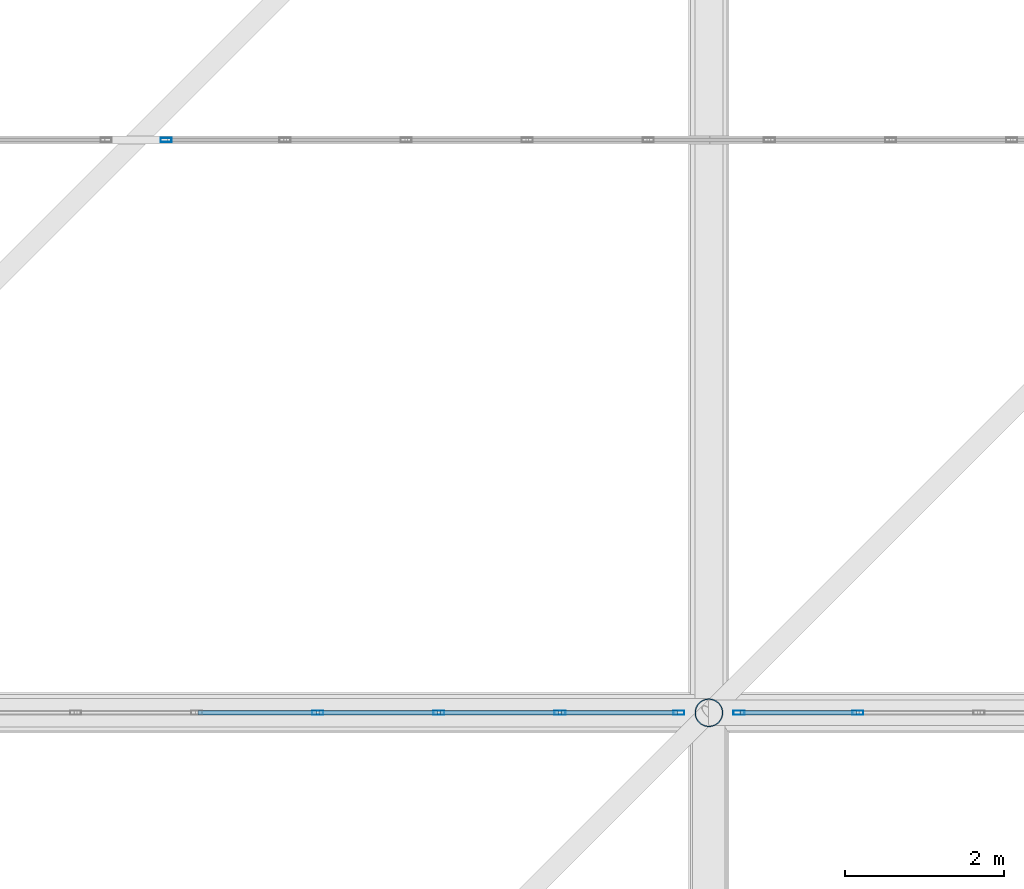
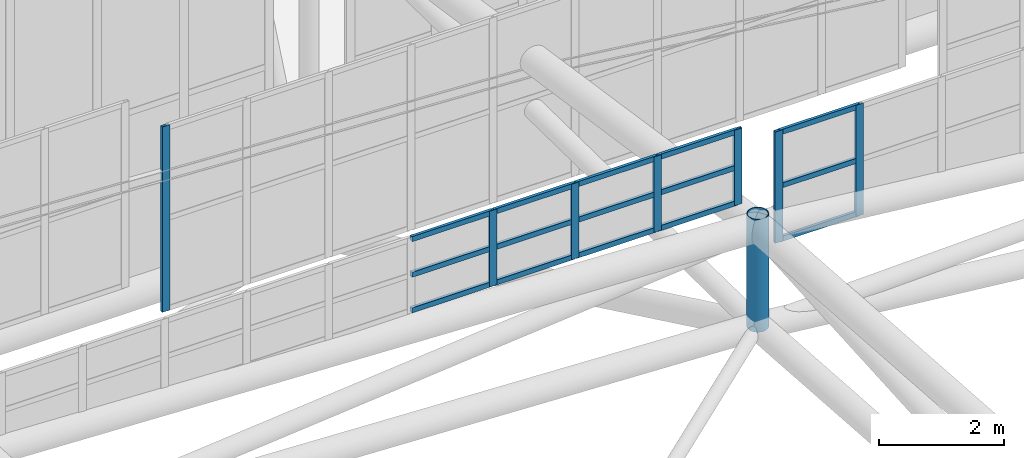
# One storey, part 310 of 397: 23 members, 3 elements without a shape of their own.
"""IFC4 building model written with IfcOpenShell, lengths in metres."""

from ifc_helpers import new_model, si_unit, direction, frame, origin, origin_2d, place, context, subcontext, project, spatial, hollow_rectangle, hollow_circle, extrude, material, material_profile, profile_set, type_object, element, aggregate, save


model = new_model("IFC4")

# Units and contexts
model_context = context("Model", 3, precision=1e-05, world=origin(), true_north=direction((0.0, 1.0)))
body_context = subcontext(model_context, "Body", "Model", "MODEL_VIEW")
ifc_project = project(units=[si_unit("LENGTHUNIT", "METRE"), si_unit("AREAUNIT", "SQUARE_METRE"), si_unit("VOLUMEUNIT", "CUBIC_METRE"), si_unit("PLANEANGLEUNIT", "RADIAN"), si_unit("MASSUNIT", "GRAM", prefix="KILO")], contexts=[model_context])

# Site, building, storey
site_placement = place(None, origin())
site = spatial("IfcSite", under=ifc_project, at=site_placement, CompositionType="ELEMENT")
building_placement = place(site_placement, origin())
building = spatial("IfcBuilding", under=site, at=building_placement, Name="Qandorah Velis Arena", CompositionType="ELEMENT")
storey_placement = place(building_placement, frame((0.0, 0.0, 27.5)))
storey = spatial("IfcBuildingStorey", under=building, at=storey_placement, Name="RF", CompositionType="ELEMENT", Elevation=27.5)

# Curtain wall, member
ifc_material_1 = material(Name="Solar-control low-E double glazing", Category="glass")
curtain_wall_type_1 = type_object("IfcCurtainWallType", Name="ARC-CW-SYS05", PredefinedType="USERDEFINED", material=ifc_material_1)
curtain_wall_1_placement = place(storey_placement, origin())
curtain_wall_1 = element("IfcCurtainWall", 1, at=curtain_wall_1_placement, inside=storey, type_object=curtain_wall_type_1, Name="Unitised curtain wall MON-4-5", ObjectType="UNITISED CURTAIN WALL", PredefinedType="USERDEFINED")
ifc_material_2 = material(Name="Champagne-bronze anodized aluminium 6063-T6", Category="aluminium")
ifc_material_profile_1 = material_profile(ifc_material_2, hollow_rectangle(XDim=0.054931640625, YDim=0.139892578125, WallThickness=0.0029296875, at=origin_2d()), Name="ALU MULLION 55x140")
ifc_profile_set_1 = profile_set([ifc_material_profile_1], Name="Champagne-bronze anodized aluminium 6063-T6")
member_type_1 = type_object("IfcMemberType", Name="ARC-CWM-140", PredefinedType="MULLION", material=ifc_profile_set_1)
member_1_placement = place(storey_placement, frame((79.577392578125, 108.0, 5.337646484375), z_axis=(0.0, 0.0, 1.0), x_axis=(0.0, 1.0, 0.0)))
member_1 = element("IfcMember", 2, at=member_1_placement, type_object=member_type_1, Name="CW05 mullion 1", PredefinedType="MULLION", context=body_context, shape_type="SweptSolid", body=[
    extrude(hollow_rectangle(XDim=0.054931640625, YDim=0.139892578125, WallThickness=0.0029296875, at=origin_2d()), origin(), (0.0, 0.0, 1.0), 3.630126953125),
])
aggregate(curtain_wall_1, [member_1])

# Curtain wall, members
curtain_wall_type_2 = type_object("IfcCurtainWallType", Name="ARC-CW-SYS24", PredefinedType="USERDEFINED", material=ifc_material_1)
curtain_wall_2_placement = place(storey_placement, origin())
curtain_wall_2 = element("IfcCurtainWall", 3, at=curtain_wall_2_placement, inside=storey, type_object=curtain_wall_type_2, Name="Unitised curtain wall OCULUS-4-4", ObjectType="UNITISED CURTAIN WALL", PredefinedType="USERDEFINED")
member_2_placement = place(storey_placement, frame((81.4833984375, 100.800048828125, 9.5341796875), z_axis=(0.0, 0.0, 1.0), x_axis=(0.0, 1.0, 0.0)))
member_2 = element("IfcMember", 4, at=member_2_placement, type_object=member_type_1, Name="CW24 mullion 7", PredefinedType="MULLION", context=body_context, shape_type="SweptSolid", body=[
    extrude(hollow_rectangle(XDim=0.054931640625, YDim=0.139892578125, WallThickness=0.0029296875, at=origin_2d()), origin(), (0.0, 0.0, 1.0), 1.480712890625),
])
member_3_placement = place(storey_placement, frame((83.005615234375, 100.800048828125, 9.5341796875), z_axis=(0.0, 0.0, 1.0), x_axis=(0.0, 1.0, 0.0)))
member_3 = element("IfcMember", 5, at=member_3_placement, type_object=member_type_1, Name="CW24 mullion 8", PredefinedType="MULLION", context=body_context, shape_type="SweptSolid", body=[
    extrude(hollow_rectangle(XDim=0.054931640625, YDim=0.139892578125, WallThickness=0.0029296875, at=origin_2d()), origin(), (0.0, 0.0, 1.0), 1.480712890625),
])
member_4_placement = place(storey_placement, frame((84.52783203125, 100.800048828125, 9.5341796875), z_axis=(0.0, 0.0, 1.0), x_axis=(0.0, 1.0, 0.0)))
member_4 = element("IfcMember", 6, at=member_4_placement, type_object=member_type_1, Name="CW24 mullion 9", PredefinedType="MULLION", context=body_context, shape_type="SweptSolid", body=[
    extrude(hollow_rectangle(XDim=0.054931640625, YDim=0.139892578125, WallThickness=0.0029296875, at=origin_2d()), origin(), (0.0, 0.0, 1.0), 1.480712890625),
])
member_5_placement = place(storey_placement, frame((86.0224609375, 100.800048828125, 9.5341796875), z_axis=(0.0, 0.0, 1.0), x_axis=(0.0, 1.0, 0.0)))
member_5 = element("IfcMember", 7, at=member_5_placement, type_object=member_type_1, Name="CW24 mullion 10", PredefinedType="MULLION", context=body_context, shape_type="SweptSolid", body=[
    extrude(hollow_rectangle(XDim=0.054931640625, YDim=0.139892578125, WallThickness=0.0029296875, at=origin_2d()), origin(), (0.0, 0.0, 1.0), 1.480712890625),
])

curtain_wall_type_3 = type_object("IfcCurtainWallType", Name="ARC-CW-SYS01", PredefinedType="USERDEFINED", material=ifc_material_1)
curtain_wall_3_placement = place(storey_placement, origin())
curtain_wall_3 = element("IfcCurtainWall", 8, at=curtain_wall_3_placement, inside=storey, type_object=curtain_wall_type_3, Name="Unitised curtain wall OCULUS-4-5", ObjectType="UNITISED CURTAIN WALL", PredefinedType="USERDEFINED")
member_6_placement = place(storey_placement, frame((86.777587890625, 100.800048828125, 8.53515625), z_axis=(0.0, 0.0, 1.0), x_axis=(0.0, 1.0, 0.0)))
member_6 = element("IfcMember", 9, at=member_6_placement, type_object=member_type_1, Name="CW01 mullion 1", PredefinedType="MULLION", context=body_context, shape_type="SweptSolid", body=[
    extrude(hollow_rectangle(XDim=0.054931640625, YDim=0.139892578125, WallThickness=0.0029296875, at=origin_2d()), origin(), (0.0, 0.0, 1.0), 2.179931640625),
])
member_7_placement = place(storey_placement, frame((88.272216796875, 100.800048828125, 8.53515625), z_axis=(0.0, 0.0, 1.0), x_axis=(0.0, 1.0, 0.0)))
member_7 = element("IfcMember", 10, at=member_7_placement, type_object=member_type_1, Name="CW01 mullion 2", PredefinedType="MULLION", context=body_context, shape_type="SweptSolid", body=[
    extrude(hollow_rectangle(XDim=0.054931640625, YDim=0.139892578125, WallThickness=0.0029296875, at=origin_2d()), origin(), (0.0, 0.0, 1.0), 2.179931640625),
])

# Member
ifc_material_profile_2 = material_profile(ifc_material_2, hollow_rectangle(XDim=0.054931640625, YDim=0.10009765625, WallThickness=0.0029296875, at=origin_2d()), Name="ALU TRANSOM 55x100")
ifc_profile_set_2 = profile_set([ifc_material_profile_2], Name="Champagne-bronze anodized aluminium 6063-T6")
member_type_2 = type_object("IfcMemberType", Name="ARC-CWT-100", PredefinedType="USERDEFINED", material=ifc_profile_set_2)
member_8_placement = place(storey_placement, frame((79.9765625, 100.800048828125, 9.57666015625), z_axis=(1.0, 0.0, 0.0), x_axis=(0.0, 1.0, 0.0)))
member_8 = element("IfcMember", 11, at=member_8_placement, type_object=member_type_2, Name="CW24 transom 6.1", ObjectType="TRANSOM", PredefinedType="USERDEFINED", context=body_context, shape_type="SweptSolid", body=[
    extrude(hollow_rectangle(XDim=0.054931640625, YDim=0.10009765625, WallThickness=0.0029296875, at=origin_2d()), origin(), (0.0, 0.0, 1.0), 1.4912109375),
])

member_9_placement = place(storey_placement, frame((79.9765625, 100.800048828125, 10.274658203125), z_axis=(1.0, 0.0, 0.0), x_axis=(0.0, 1.0, 0.0)))
member_9 = element("IfcMember", 12, at=member_9_placement, type_object=member_type_2, Name="CW24 transom 6.2", ObjectType="TRANSOM", PredefinedType="USERDEFINED", context=body_context, shape_type="SweptSolid", body=[
    extrude(hollow_rectangle(XDim=0.054931640625, YDim=0.10009765625, WallThickness=0.0029296875, at=origin_2d()), origin(), (0.0, 0.0, 1.0), 1.4912109375),
])

member_10_placement = place(storey_placement, frame((79.9765625, 100.800048828125, 10.972412109375), z_axis=(1.0, 0.0, 0.0), x_axis=(0.0, 1.0, 0.0)))
member_10 = element("IfcMember", 13, at=member_10_placement, type_object=member_type_2, Name="CW24 transom 6.3", ObjectType="TRANSOM", PredefinedType="USERDEFINED", context=body_context, shape_type="SweptSolid", body=[
    extrude(hollow_rectangle(XDim=0.054931640625, YDim=0.10009765625, WallThickness=0.0029296875, at=origin_2d()), origin(), (0.0, 0.0, 1.0), 1.4912109375),
])

member_11_placement = place(storey_placement, frame((81.498779296875, 100.800048828125, 9.57666015625), z_axis=(1.0, 0.0, 0.0), x_axis=(0.0, 1.0, 0.0)))
member_11 = element("IfcMember", 14, at=member_11_placement, type_object=member_type_2, Name="CW24 transom 7.1", ObjectType="TRANSOM", PredefinedType="USERDEFINED", context=body_context, shape_type="SweptSolid", body=[
    extrude(hollow_rectangle(XDim=0.054931640625, YDim=0.10009765625, WallThickness=0.0029296875, at=origin_2d()), origin(), (0.0, 0.0, 1.0), 1.4912109375),
])

member_12_placement = place(storey_placement, frame((81.498779296875, 100.800048828125, 10.274658203125), z_axis=(1.0, 0.0, 0.0), x_axis=(0.0, 1.0, 0.0)))
member_12 = element("IfcMember", 15, at=member_12_placement, type_object=member_type_2, Name="CW24 transom 7.2", ObjectType="TRANSOM", PredefinedType="USERDEFINED", context=body_context, shape_type="SweptSolid", body=[
    extrude(hollow_rectangle(XDim=0.054931640625, YDim=0.10009765625, WallThickness=0.0029296875, at=origin_2d()), origin(), (0.0, 0.0, 1.0), 1.4912109375),
])

member_13_placement = place(storey_placement, frame((81.498779296875, 100.800048828125, 10.972412109375), z_axis=(1.0, 0.0, 0.0), x_axis=(0.0, 1.0, 0.0)))
member_13 = element("IfcMember", 16, at=member_13_placement, type_object=member_type_2, Name="CW24 transom 7.3", ObjectType="TRANSOM", PredefinedType="USERDEFINED", context=body_context, shape_type="SweptSolid", body=[
    extrude(hollow_rectangle(XDim=0.054931640625, YDim=0.10009765625, WallThickness=0.0029296875, at=origin_2d()), origin(), (0.0, 0.0, 1.0), 1.4912109375),
])

member_14_placement = place(storey_placement, frame((83.02099609375, 100.800048828125, 9.57666015625), z_axis=(1.0, 0.0, 0.0), x_axis=(0.0, 1.0, 0.0)))
member_14 = element("IfcMember", 17, at=member_14_placement, type_object=member_type_2, Name="CW24 transom 8.1", ObjectType="TRANSOM", PredefinedType="USERDEFINED", context=body_context, shape_type="SweptSolid", body=[
    extrude(hollow_rectangle(XDim=0.054931640625, YDim=0.10009765625, WallThickness=0.0029296875, at=origin_2d()), origin(), (0.0, 0.0, 1.0), 1.4912109375),
])

member_15_placement = place(storey_placement, frame((83.02099609375, 100.800048828125, 10.274658203125), z_axis=(1.0, 0.0, 0.0), x_axis=(0.0, 1.0, 0.0)))
member_15 = element("IfcMember", 18, at=member_15_placement, type_object=member_type_2, Name="CW24 transom 8.2", ObjectType="TRANSOM", PredefinedType="USERDEFINED", context=body_context, shape_type="SweptSolid", body=[
    extrude(hollow_rectangle(XDim=0.054931640625, YDim=0.10009765625, WallThickness=0.0029296875, at=origin_2d()), origin(), (0.0, 0.0, 1.0), 1.4912109375),
])

member_16_placement = place(storey_placement, frame((83.02099609375, 100.800048828125, 10.972412109375), z_axis=(1.0, 0.0, 0.0), x_axis=(0.0, 1.0, 0.0)))
member_16 = element("IfcMember", 19, at=member_16_placement, type_object=member_type_2, Name="CW24 transom 8.3", ObjectType="TRANSOM", PredefinedType="USERDEFINED", context=body_context, shape_type="SweptSolid", body=[
    extrude(hollow_rectangle(XDim=0.054931640625, YDim=0.10009765625, WallThickness=0.0029296875, at=origin_2d()), origin(), (0.0, 0.0, 1.0), 1.4912109375),
])

member_17_placement = place(storey_placement, frame((84.543212890625, 100.800048828125, 9.57666015625), z_axis=(1.0, 0.0, 0.0), x_axis=(0.0, 1.0, 0.0)))
member_17 = element("IfcMember", 20, at=member_17_placement, type_object=member_type_2, Name="CW24 transom 9.1", ObjectType="TRANSOM", PredefinedType="USERDEFINED", context=body_context, shape_type="SweptSolid", body=[
    extrude(hollow_rectangle(XDim=0.054931640625, YDim=0.10009765625, WallThickness=0.0029296875, at=origin_2d()), origin(), (0.0, 0.0, 1.0), 1.4638671875),
])

member_18_placement = place(storey_placement, frame((84.543212890625, 100.800048828125, 10.274658203125), z_axis=(1.0, 0.0, 0.0), x_axis=(0.0, 1.0, 0.0)))
member_18 = element("IfcMember", 21, at=member_18_placement, type_object=member_type_2, Name="CW24 transom 9.2", ObjectType="TRANSOM", PredefinedType="USERDEFINED", context=body_context, shape_type="SweptSolid", body=[
    extrude(hollow_rectangle(XDim=0.054931640625, YDim=0.10009765625, WallThickness=0.0029296875, at=origin_2d()), origin(), (0.0, 0.0, 1.0), 1.4638671875),
])

member_19_placement = place(storey_placement, frame((84.543212890625, 100.800048828125, 10.972412109375), z_axis=(1.0, 0.0, 0.0), x_axis=(0.0, 1.0, 0.0)))
member_19 = element("IfcMember", 22, at=member_19_placement, type_object=member_type_2, Name="CW24 transom 9.3", ObjectType="TRANSOM", PredefinedType="USERDEFINED", context=body_context, shape_type="SweptSolid", body=[
    extrude(hollow_rectangle(XDim=0.054931640625, YDim=0.10009765625, WallThickness=0.0029296875, at=origin_2d()), origin(), (0.0, 0.0, 1.0), 1.4638671875),
])

aggregate(curtain_wall_2, [member_2, member_3, member_4, member_5, member_8, member_9, member_10, member_11, member_12, member_13, member_14, member_15, member_16, member_17, member_18, member_19])

member_20_placement = place(storey_placement, frame((86.79296875, 100.800048828125, 8.57763671875), z_axis=(1.0, 0.0, 0.0), x_axis=(0.0, 1.0, 0.0)))
member_20 = element("IfcMember", 23, at=member_20_placement, type_object=member_type_2, Name="CW01 transom 1.1", ObjectType="TRANSOM", PredefinedType="USERDEFINED", context=body_context, shape_type="SweptSolid", body=[
    extrude(hollow_rectangle(XDim=0.054931640625, YDim=0.10009765625, WallThickness=0.0029296875, at=origin_2d()), origin(), (0.0, 0.0, 1.0), 1.463623046875),
])

member_21_placement = place(storey_placement, frame((86.79296875, 100.800048828125, 9.625244140625), z_axis=(1.0, 0.0, 0.0), x_axis=(0.0, 1.0, 0.0)))
member_21 = element("IfcMember", 24, at=member_21_placement, type_object=member_type_2, Name="CW01 transom 1.2", ObjectType="TRANSOM", PredefinedType="USERDEFINED", context=body_context, shape_type="SweptSolid", body=[
    extrude(hollow_rectangle(XDim=0.054931640625, YDim=0.10009765625, WallThickness=0.0029296875, at=origin_2d()), origin(), (0.0, 0.0, 1.0), 1.463623046875),
])

member_22_placement = place(storey_placement, frame((86.79296875, 100.800048828125, 10.672607421875), z_axis=(1.0, 0.0, 0.0), x_axis=(0.0, 1.0, 0.0)))
member_22 = element("IfcMember", 25, at=member_22_placement, type_object=member_type_2, Name="CW01 transom 1.3", ObjectType="TRANSOM", PredefinedType="USERDEFINED", context=body_context, shape_type="SweptSolid", body=[
    extrude(hollow_rectangle(XDim=0.054931640625, YDim=0.10009765625, WallThickness=0.0029296875, at=origin_2d()), origin(), (0.0, 0.0, 1.0), 1.463623046875),
])

aggregate(curtain_wall_3, [member_6, member_7, member_20, member_21, member_22])

ifc_material_3 = material(Name="Steel S355", Category="steel")
ifc_material_profile_3 = material_profile(ifc_material_3, hollow_circle(Radius=0.177734375, WallThickness=0.012451171875, at=origin_2d()), Name="CHS 355.6x12.5")
ifc_profile_set_3 = profile_set([ifc_material_profile_3], Name="Steel S355")
member_type_3 = type_object("IfcMemberType", Name="STR-SFD-CHS355X12", PredefinedType="STRUT", material=ifc_profile_set_3)
member_23_placement = place(storey_placement, frame((86.39990234375, 100.800048828125, 7.009521484375), z_axis=(0.0, 0.0, 1.0), x_axis=(1.0, 0.0, 0.0)))
element("IfcMember", 26, at=member_23_placement, inside=storey, type_object=member_type_3, Name="Space frame roof vertical post 5.6", PredefinedType="STRUT", context=body_context, shape_type="SweptSolid", body=[
    extrude(hollow_circle(Radius=0.177734375, WallThickness=0.012451171875, at=origin_2d()), origin(), (0.0, 0.0, 1.0), 2.2099609375),
])

save(model, "model.ifc")
